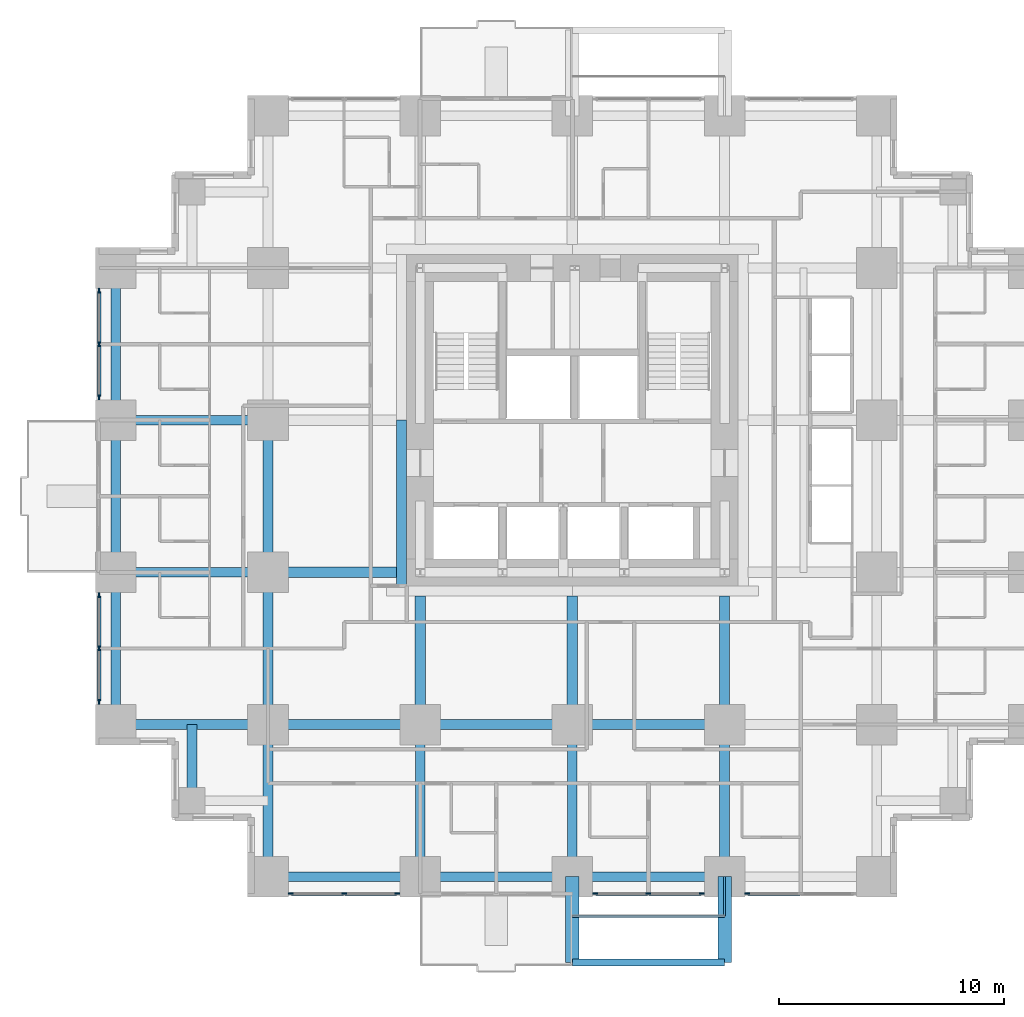
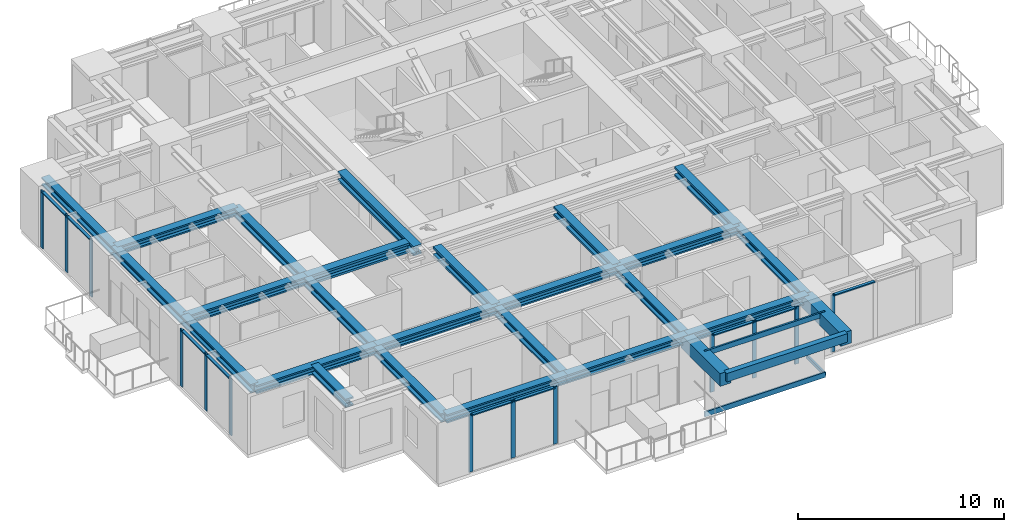
# One storey, part 2 of 13: 27 beams, 25 members, 5 elements without a shape of their own.
"""IFC4 building model written with IfcOpenShell, lengths in metres."""

import ifcopenshell
import ifcopenshell.guid

model = None  # the IFC model being written
_history = None  # IfcOwnerHistory: only IFC2X3 demands one
_inside = {}  # id of a spatial element -> (the spatial element, [elements in it])
_under = {}  # id of a project, library or spatial element -> (it, [spatial elements below it])
_declared = {}  # id of a project -> (the project, [libraries it declares])
_typed = {}  # id of a type object -> (the type object, [elements of that type])
_made_of = {}  # id of a material, layer set ... -> (it, [elements and type objects made of it])


def new_model(schema):
    """Start an empty IFC model of exactly this schema.

    Asked for "IFC4X3", IfcOpenShell would pick the latest addendum, in which some entities
    have other attributes; the version numbers below select the first issue.
    IFC2X3 requires an IfcOwnerHistory on every rooted entity: one is made here for all.
    """
    global model, _history
    if schema == "IFC4X3":
        model = ifcopenshell.file(schema_version=(4, 3, 0, 0))
    else:
        model = ifcopenshell.file(schema=schema)
    _inside.clear()
    _under.clear()
    _declared.clear()
    _typed.clear()
    _made_of.clear()
    _history = None
    if model.schema == "IFC2X3":
        org = make("IfcOrganization", Name="unknown")
        user = make(
            "IfcPersonAndOrganization",
            ThePerson=make("IfcPerson", FamilyName="unknown"),
            TheOrganization=org,
        )
        app = make(
            "IfcApplication",
            ApplicationDeveloper=org,
            Version="unknown",
            ApplicationFullName="unknown",
            ApplicationIdentifier="unknown",
        )
        _history = make(
            "IfcOwnerHistory",
            OwningUser=user,
            OwningApplication=app,
            ChangeAction="ADDED",
            CreationDate=0,
        )
    return model


def make(cls, **values):
    """One entity of the class cls with the attributes given. An attribute that is None is left unset."""
    return model.create_entity(
        cls, **{name: value for name, value in values.items() if value is not None}
    )


def rooted(cls, **values):
    """An entity with a GlobalId (a new one), such as an element, a storey or a relation."""
    return make(cls, GlobalId=ifcopenshell.guid.new(), OwnerHistory=_history, **values)


def si_unit(unit_type, name, prefix=None):
    """IfcSIUnit, for example si_unit("LENGTHUNIT", "METRE", prefix="MILLI")."""
    return make("IfcSIUnit", UnitType=unit_type, Prefix=prefix, Name=name)


def assignment(units):
    """IfcUnitAssignment: the units of a project."""
    return None if units is None else make("IfcUnitAssignment", Units=units)


def point(xyz):
    """IfcCartesianPoint."""
    return None if xyz is None else make("IfcCartesianPoint", Coordinates=xyz)


def direction(xyz):
    """IfcDirection."""
    return None if xyz is None else make("IfcDirection", DirectionRatios=xyz)


def frame(location, z_axis=None, x_axis=None):
    """IfcAxis2Placement3D, a coordinate frame: its origin and axes. An axis left out is left unset."""
    return make(
        "IfcAxis2Placement3D",
        Location=point(location),
        Axis=direction(z_axis),
        RefDirection=direction(x_axis),
    )


def frame_2d(location, x_axis=None):
    """IfcAxis2Placement2D, a coordinate frame in the plane: its origin and x axis."""
    return make(
        "IfcAxis2Placement2D", Location=point(location), RefDirection=direction(x_axis)
    )


def origin():
    """The frame at (0, 0, 0) with its axes left unset."""
    return frame((0.0, 0.0, 0.0))


def origin_2d():
    """The frame at (0, 0) in the plane with its x axis left unset."""
    return frame_2d((0.0, 0.0))


def place(relative_to, where):
    """IfcLocalPlacement: puts the frame where relative to a parent placement (None: the world)."""
    return make(
        "IfcLocalPlacement", PlacementRelTo=relative_to, RelativePlacement=where
    )


def context(
    kind, dimensions, precision=None, world=None, true_north=None, identifier=None
):
    """IfcGeometricRepresentationContext, for example the 3D "Model" context."""
    return make(
        "IfcGeometricRepresentationContext",
        ContextIdentifier=identifier,
        ContextType=kind,
        CoordinateSpaceDimension=dimensions,
        Precision=precision,
        WorldCoordinateSystem=world,
        TrueNorth=true_north,
    )


def subcontext(parent, identifier, kind, view, scale=None):
    """IfcGeometricRepresentationSubContext, for example "Body" below "Model"."""
    return make(
        "IfcGeometricRepresentationSubContext",
        ContextIdentifier=identifier,
        ContextType=kind,
        ParentContext=parent,
        TargetScale=scale,
        TargetView=view,
    )


def project(units=None, contexts=None):
    """IfcProject with its units and contexts."""
    return rooted(
        "IfcProject",
        Name="project",
        RepresentationContexts=contexts,
        UnitsInContext=assignment(units),
    )


def spatial(cls, under=None, at=None, **own):
    """A site, building, storey or space (cls), placed at a placement, below another one or the project."""
    s = rooted(cls, ObjectPlacement=at, **own)
    if under is not None:
        _under.setdefault(under.id(), (under, []))[1].append(s)
    return s


def profile(cls, at=None, kind="AREA", **sizes):
    """A parametric profile (cls). Its sizes go by their IFC names, for example OverallWidth=200.0."""
    return make(cls, ProfileType=kind, Position=at, **sizes)


def rectangle(**sizes):
    """IfcRectangleProfileDef."""
    return profile("IfcRectangleProfileDef", **sizes)


def hollow_rectangle(**sizes):
    """IfcRectangleHollowProfileDef."""
    return profile("IfcRectangleHollowProfileDef", **sizes)


def i_section(**sizes):
    """IfcIShapeProfileDef."""
    return profile("IfcIShapeProfileDef", **sizes)


def extrude(swept, where, along, depth):
    """IfcExtrudedAreaSolid: the profile swept, set in the frame where, extruded along a direction by depth."""
    return make(
        "IfcExtrudedAreaSolid",
        SweptArea=swept,
        Position=where,
        ExtrudedDirection=direction(along),
        Depth=depth,
    )


def shape(context_of_items, identifier, shape_type, items):
    """IfcShapeRepresentation: the items that make up one representation, for example the "Body"."""
    return make(
        "IfcShapeRepresentation",
        ContextOfItems=context_of_items,
        RepresentationIdentifier=identifier,
        RepresentationType=shape_type,
        Items=items,
    )


def material(Name=None, Category=None):
    """IfcMaterial."""
    return make("IfcMaterial", Name=Name, Category=Category)


def material_profile(
    of_material, cross_section, Name=None, Category=None, Priority=None
):
    """IfcMaterialProfile: a cross section and its material."""
    return make(
        "IfcMaterialProfile",
        Name=Name,
        Material=of_material,
        Profile=cross_section,
        Priority=Priority,
        Category=Category,
    )


def profile_set(profiles, Name=None, composite=None):
    """IfcMaterialProfileSet."""
    return make(
        "IfcMaterialProfileSet",
        Name=Name,
        MaterialProfiles=profiles,
        CompositeProfile=composite,
    )


def made_of(thing, what):
    """Note that an element or type object is made of a material, layer set ...; save() writes the relation."""
    if what is not None:
        _made_of.setdefault(what.id(), (what, []))[1].append(thing)
    return thing


def type_object(cls, material=None, **own):
    """A type object (cls), such as IfcWallType, which elements share."""
    return made_of(rooted(cls, **own), material)


def element(
    cls,
    number,
    at=None,
    inside=None,
    cuts=None,
    type_object=None,
    material=None,
    context=None,
    identifier="Body",
    shape_type=None,
    held_by="IfcProductDefinitionShape",
    body=None,
    shapes=None,
    **own,
):
    """One element of the class cls, such as IfcWall. Its Tag is "e" and its number.

    at: its placement. inside: the storey or other place that contains it. cuts: it is an
    opening in that element (IfcRelVoidsElement). A single representation is given by context,
    identifier, shape_type and body (its items); several are given by shapes. held_by: the class
    of the entity that holds the representations. save() writes the other relations.
    """
    e = rooted(cls, Tag="e%d" % number, ObjectPlacement=at, **own)
    if body is not None:
        shapes = [shape(context, identifier, shape_type, body)]
    if shapes is not None:
        e.Representation = make(held_by, Representations=shapes)
    if inside is not None:
        _inside.setdefault(inside.id(), (inside, []))[1].append(e)
    if cuts is not None:
        rooted(
            "IfcRelVoidsElement", RelatingBuildingElement=cuts, RelatedOpeningElement=e
        )
    if type_object is not None:
        _typed.setdefault(type_object.id(), (type_object, []))[1].append(e)
    return made_of(e, material)


def aggregate(whole, parts):
    """IfcRelAggregates: a whole, such as a stair, and the parts it consists of."""
    return rooted("IfcRelAggregates", RelatingObject=whole, RelatedObjects=parts)


def save(model, path):
    """Write the relations noted so far, then the file.

    IfcRelAggregates (storeys below a building ...), IfcRelContainedInSpatialStructure (elements
    in a storey), IfcRelDefinesByType, IfcRelAssociatesMaterial and IfcRelDeclares: one each for
    every whole, place, type object, material and project.
    """
    for whole, parts in _under.values():
        aggregate(whole, parts)
    for where, things in _inside.values():
        rooted(
            "IfcRelContainedInSpatialStructure",
            RelatedElements=things,
            RelatingStructure=where,
        )
    for kind, things in _typed.values():
        rooted("IfcRelDefinesByType", RelatedObjects=things, RelatingType=kind)
    for what, things in _made_of.values():
        rooted("IfcRelAssociatesMaterial", RelatedObjects=things, RelatingMaterial=what)
    for by, libraries in _declared.values():
        rooted("IfcRelDeclares", RelatingContext=by, RelatedDefinitions=libraries)
    model.write(path)


model = new_model("IFC4")

# Units and contexts
model_context = context("Model", 3, precision=1e-05, world=origin(), true_north=direction((0.0, 1.0)))
body_context = subcontext(model_context, "Body", "Model", "MODEL_VIEW")
ifc_project = project(units=[si_unit("LENGTHUNIT", "METRE"), si_unit("AREAUNIT", "SQUARE_METRE"), si_unit("VOLUMEUNIT", "CUBIC_METRE"), si_unit("PLANEANGLEUNIT", "RADIAN"), si_unit("MASSUNIT", "GRAM", prefix="KILO")], contexts=[model_context])

# Site, building, storey
site_placement = place(None, origin())
site = spatial("IfcSite", under=ifc_project, at=site_placement, CompositionType="ELEMENT")
building_placement = place(site_placement, origin())
building = spatial("IfcBuilding", under=site, at=building_placement, Name="Nyansa Garden Tower", CompositionType="ELEMENT")
storey_placement = place(building_placement, frame((0.0, 0.0, 94.5)))
storey = spatial("IfcBuildingStorey", under=building, at=storey_placement, Name="L25", CompositionType="ELEMENT", Elevation=94.5)

# Beams
ifc_material_1 = material(Name="Concrete C70/85", Category="concrete")
ifc_material_profile_1 = material_profile(ifc_material_1, rectangle(XDim=0.60009765625, YDim=0.75, at=origin_2d()), Name="RC 600x750")
ifc_profile_set_1 = profile_set([ifc_material_profile_1], Name="Concrete C70/85")
beam_type_1 = type_object("IfcBeamType", Name="Balcony cantilever beam CB1 RC 600x750", PredefinedType="BEAM", material=ifc_profile_set_1)
for number, where, z_axis, x_axis, name in (
    (1, (20.25, 0.0, 2.985107421875), (0.0, -1.0, 0.0), (1.0, 0.0, 0.0), "Balcony cantilever beam L26"),
    (2, (27.0, 0.0, 2.985107421875), (0.0, -1.0, 0.0), (1.0, 0.0, 0.0), "Balcony cantilever beam L26"),
):
    element("IfcBeam", number, at=place(storey_placement, frame(where, z_axis=z_axis, x_axis=x_axis)), inside=storey, type_object=beam_type_1, Name=name, PredefinedType="BEAM", context=body_context, shape_type="SweptSolid", body=[
        extrude(rectangle(XDim=0.60009765625, YDim=0.75, at=origin_2d()), origin(), (0.0, 0.0, 1.0), 3.800048828125),
    ])
ifc_material_2 = material(Name="Concrete C70/85", Category="concrete")
ifc_material_profile_2 = material_profile(ifc_material_2, rectangle(XDim=0.300048828125, YDim=0.5, at=origin_2d()), Name="RC 300x500")
ifc_profile_set_2 = profile_set([ifc_material_profile_2], Name="Concrete C70/85")
beam_type_2 = type_object("IfcBeamType", Name="Balcony edge beam BE1 RC 300x500", PredefinedType="BEAM", material=ifc_profile_set_2)
beam_1_placement = place(storey_placement, frame((20.25, -3.800048828125, 3.110107421875), z_axis=(1.0, 0.0, 0.0), x_axis=(0.0, 1.0, 0.0)))
element("IfcBeam", 3, at=beam_1_placement, inside=storey, type_object=beam_type_2, Name="Balcony edge beam L26", PredefinedType="BEAM", context=body_context, shape_type="SweptSolid", body=[
    extrude(rectangle(XDim=0.300048828125, YDim=0.5, at=origin_2d()), origin(), (0.0, 0.0, 1.0), 6.75),
])

# Curtain wall, members
ifc_material_3 = material(Name="Black anodised aluminium, dark tinted double glazing", Category="aluminium")
curtain_wall_type = type_object("IfcCurtainWallType", Name="Inner skin curtain wall ISW-B", PredefinedType="USERDEFINED", material=ifc_material_3)
curtain_wall_1_placement = place(storey_placement, origin())
curtain_wall_1 = element("IfcCurtainWall", 4, at=curtain_wall_1_placement, inside=storey, type_object=curtain_wall_type, Name="Inner skin curtain wall L25 W", ObjectType="UNITISED CURTAIN WALL", PredefinedType="USERDEFINED")
ifc_material_4 = material(Name="Black anodised aluminium", Category="aluminium")
ifc_material_profile_3 = material_profile(ifc_material_4, rectangle(XDim=0.06494140625, YDim=0.22509765625, at=origin_2d()), Name="Mullion 225x65")
ifc_profile_set_3 = profile_set([ifc_material_profile_3], Name="Black anodised aluminium")
member_type_1 = type_object("IfcMemberType", Name="Mullion ISW-B 225x65", PredefinedType="MULLION", material=ifc_profile_set_3)
member_1_placement = place(storey_placement, frame((-0.75, 12.487548828125, 0.0), z_axis=(0.0, 0.0, 1.0), x_axis=(1.0, 0.0, 0.0)))
member_1 = element("IfcMember", 5, at=member_1_placement, type_object=member_type_1, Name="ISW-B mullion 1", PredefinedType="MULLION", context=body_context, shape_type="SweptSolid", body=[
    extrude(rectangle(XDim=0.06494140625, YDim=0.22509765625, at=origin_2d()), origin(), (0.0, 0.0, 1.0), 3.375),
])
member_2_placement = place(storey_placement, frame((-0.75, 10.125, 0.0), z_axis=(0.0, 0.0, 1.0), x_axis=(1.0, 0.0, 0.0)))
member_2 = element("IfcMember", 6, at=member_2_placement, type_object=member_type_1, Name="ISW-B mullion 2", PredefinedType="MULLION", context=body_context, shape_type="SweptSolid", body=[
    extrude(rectangle(XDim=0.06494140625, YDim=0.22509765625, at=origin_2d()), origin(), (0.0, 0.0, 1.0), 3.375),
])
member_3_placement = place(storey_placement, frame((-0.75, 7.762451171875, 0.0), z_axis=(0.0, 0.0, 1.0), x_axis=(1.0, 0.0, 0.0)))
member_3 = element("IfcMember", 7, at=member_3_placement, type_object=member_type_1, Name="ISW-B mullion 3", PredefinedType="MULLION", context=body_context, shape_type="SweptSolid", body=[
    extrude(rectangle(XDim=0.06494140625, YDim=0.22509765625, at=origin_2d()), origin(), (0.0, 0.0, 1.0), 3.375),
])

curtain_wall_2_placement = place(storey_placement, origin())
curtain_wall_2 = element("IfcCurtainWall", 8, at=curtain_wall_2_placement, inside=storey, type_object=curtain_wall_type, Name="Inner skin curtain wall L25 W", ObjectType="UNITISED CURTAIN WALL", PredefinedType="USERDEFINED")
member_4_placement = place(storey_placement, frame((-0.75, 25.987548828125, 0.0), z_axis=(0.0, 0.0, 1.0), x_axis=(1.0, 0.0, 0.0)))
member_4 = element("IfcMember", 9, at=member_4_placement, type_object=member_type_1, Name="ISW-B mullion 1", PredefinedType="MULLION", context=body_context, shape_type="SweptSolid", body=[
    extrude(rectangle(XDim=0.06494140625, YDim=0.22509765625, at=origin_2d()), origin(), (0.0, 0.0, 1.0), 3.375),
])
member_5_placement = place(storey_placement, frame((-0.75, 23.625, 0.0), z_axis=(0.0, 0.0, 1.0), x_axis=(1.0, 0.0, 0.0)))
member_5 = element("IfcMember", 10, at=member_5_placement, type_object=member_type_1, Name="ISW-B mullion 2", PredefinedType="MULLION", context=body_context, shape_type="SweptSolid", body=[
    extrude(rectangle(XDim=0.06494140625, YDim=0.22509765625, at=origin_2d()), origin(), (0.0, 0.0, 1.0), 3.375),
])
member_6_placement = place(storey_placement, frame((-0.75, 21.262451171875, 0.0), z_axis=(0.0, 0.0, 1.0), x_axis=(1.0, 0.0, 0.0)))
member_6 = element("IfcMember", 11, at=member_6_placement, type_object=member_type_1, Name="ISW-B mullion 3", PredefinedType="MULLION", context=body_context, shape_type="SweptSolid", body=[
    extrude(rectangle(XDim=0.06494140625, YDim=0.22509765625, at=origin_2d()), origin(), (0.0, 0.0, 1.0), 3.375),
])

curtain_wall_3_placement = place(storey_placement, origin())
curtain_wall_3 = element("IfcCurtainWall", 12, at=curtain_wall_3_placement, inside=storey, type_object=curtain_wall_type, Name="Inner skin curtain wall L25 S", ObjectType="UNITISED CURTAIN WALL", PredefinedType="USERDEFINED")
member_7_placement = place(storey_placement, frame((7.762451171875, -0.75, 0.0), z_axis=(0.0, 0.0, 1.0), x_axis=(0.0, 1.0, 0.0)))
member_7 = element("IfcMember", 13, at=member_7_placement, type_object=member_type_1, Name="ISW-B mullion 1", PredefinedType="MULLION", context=body_context, shape_type="SweptSolid", body=[
    extrude(rectangle(XDim=0.06494140625, YDim=0.22509765625, at=origin_2d()), origin(), (0.0, 0.0, 1.0), 3.375),
])
member_8_placement = place(storey_placement, frame((10.125, -0.75, 0.0), z_axis=(0.0, 0.0, 1.0), x_axis=(0.0, 1.0, 0.0)))
member_8 = element("IfcMember", 14, at=member_8_placement, type_object=member_type_1, Name="ISW-B mullion 2", PredefinedType="MULLION", context=body_context, shape_type="SweptSolid", body=[
    extrude(rectangle(XDim=0.06494140625, YDim=0.22509765625, at=origin_2d()), origin(), (0.0, 0.0, 1.0), 3.375),
])
member_9_placement = place(storey_placement, frame((12.487548828125, -0.75, 0.0), z_axis=(0.0, 0.0, 1.0), x_axis=(0.0, 1.0, 0.0)))
member_9 = element("IfcMember", 15, at=member_9_placement, type_object=member_type_1, Name="ISW-B mullion 3", PredefinedType="MULLION", context=body_context, shape_type="SweptSolid", body=[
    extrude(rectangle(XDim=0.06494140625, YDim=0.22509765625, at=origin_2d()), origin(), (0.0, 0.0, 1.0), 3.375),
])

curtain_wall_4_placement = place(storey_placement, origin())
curtain_wall_4 = element("IfcCurtainWall", 16, at=curtain_wall_4_placement, inside=storey, type_object=curtain_wall_type, Name="Inner skin curtain wall L25 S", ObjectType="UNITISED CURTAIN WALL", PredefinedType="USERDEFINED")
member_10_placement = place(storey_placement, frame((21.262451171875, -0.75, 0.0), z_axis=(0.0, 0.0, 1.0), x_axis=(0.0, 1.0, 0.0)))
member_10 = element("IfcMember", 17, at=member_10_placement, type_object=member_type_1, Name="ISW-B mullion 1", PredefinedType="MULLION", context=body_context, shape_type="SweptSolid", body=[
    extrude(rectangle(XDim=0.06494140625, YDim=0.22509765625, at=origin_2d()), origin(), (0.0, 0.0, 1.0), 3.375),
])
member_11_placement = place(storey_placement, frame((23.625, -0.75, 0.0), z_axis=(0.0, 0.0, 1.0), x_axis=(0.0, 1.0, 0.0)))
member_11 = element("IfcMember", 18, at=member_11_placement, type_object=member_type_1, Name="ISW-B mullion 2", PredefinedType="MULLION", context=body_context, shape_type="SweptSolid", body=[
    extrude(rectangle(XDim=0.06494140625, YDim=0.22509765625, at=origin_2d()), origin(), (0.0, 0.0, 1.0), 3.375),
])
member_12_placement = place(storey_placement, frame((25.987548828125, -0.75, 0.0), z_axis=(0.0, 0.0, 1.0), x_axis=(0.0, 1.0, 0.0)))
member_12 = element("IfcMember", 19, at=member_12_placement, type_object=member_type_1, Name="ISW-B mullion 3", PredefinedType="MULLION", context=body_context, shape_type="SweptSolid", body=[
    extrude(rectangle(XDim=0.06494140625, YDim=0.22509765625, at=origin_2d()), origin(), (0.0, 0.0, 1.0), 3.375),
])

# Curtain wall, member
curtain_wall_5_placement = place(storey_placement, origin())
curtain_wall_5 = element("IfcCurtainWall", 20, at=curtain_wall_5_placement, inside=storey, type_object=curtain_wall_type, Name="Inner skin curtain wall L25 S", ObjectType="UNITISED CURTAIN WALL", PredefinedType="USERDEFINED")
member_13_placement = place(storey_placement, frame((28.012451171875, -0.75, 0.0), z_axis=(0.0, 0.0, 1.0), x_axis=(0.0, 1.0, 0.0)))
member_13 = element("IfcMember", 21, at=member_13_placement, type_object=member_type_1, Name="ISW-B mullion 1", PredefinedType="MULLION", context=body_context, shape_type="SweptSolid", body=[
    extrude(rectangle(XDim=0.06494140625, YDim=0.22509765625, at=origin_2d()), origin(), (0.0, 0.0, 1.0), 3.375),
])

# Members
ifc_material_5 = material(Name="Steel S355, black powder coated", Category="steel")
ifc_material_profile_4 = material_profile(ifc_material_5, hollow_rectangle(XDim=0.10009765625, YDim=0.199951171875, WallThickness=0.008056640625, at=origin_2d()), Name="RHS 200x100x8")
ifc_profile_set_4 = profile_set([ifc_material_profile_4], Name="Steel S355, black powder coated")
member_type_2 = type_object("IfcMemberType", Name="Outer skin bracket arm RHS 200x100x8", PredefinedType="USERDEFINED", material=ifc_profile_set_4)
member_14_placement = place(storey_placement, frame((27.0, 0.0, -0.375), z_axis=(0.0, -1.0, 0.0), x_axis=(1.0, 0.0, 0.0)))
element("IfcMember", 22, at=member_14_placement, inside=storey, type_object=member_type_2, Name="Outer skin bracket arm", ObjectType="OUTER SKIN BRACKET", PredefinedType="USERDEFINED", context=body_context, shape_type="SweptSolid", body=[
    extrude(hollow_rectangle(XDim=0.10009765625, YDim=0.199951171875, WallThickness=0.008056640625, at=origin_2d()), origin(), (0.0, 0.0, 1.0), 1.75),
])
ifc_material_6 = material(Name="Steel S355, black powder coated", Category="steel")
ifc_material_profile_5 = material_profile(ifc_material_6, hollow_rectangle(XDim=0.10009765625, YDim=0.300048828125, WallThickness=0.010009765625, at=origin_2d()), Name="RHS 300x100x10")
ifc_profile_set_5 = profile_set([ifc_material_profile_5], Name="Steel S355, black powder coated")
member_type_3 = type_object("IfcMemberType", Name="Outer skin rail RHS 300x100x10", PredefinedType="USERDEFINED", material=ifc_profile_set_5)
for number, where, z_axis, x_axis, name in (
    (23, (20.25, -1.75, -0.375), (1.0, 0.0, 0.0), (0.0, 1.0, 0.0), "Outer skin rail L25"),
    (24, (20.25, -1.75, 3.22509765625), (1.0, 0.0, 0.0), (0.0, 1.0, 0.0), "Outer skin rail L25 head"),
):
    element("IfcMember", number, at=place(storey_placement, frame(where, z_axis=z_axis, x_axis=x_axis)), inside=storey, type_object=member_type_3, Name=name, ObjectType="OUTER SKIN RAIL", PredefinedType="USERDEFINED", context=body_context, shape_type="SweptSolid", body=[
        extrude(hollow_rectangle(XDim=0.10009765625, YDim=0.300048828125, WallThickness=0.010009765625, at=origin_2d()), origin(), (0.0, 0.0, 1.0), 6.75),
    ])

# Beams
ifc_material_7 = material(Name="Steel S355", Category="steel")
ifc_material_profile_6 = material_profile(ifc_material_7, i_section(OverallWidth=0.431884765625, OverallDepth=0.498046875, WebThickness=0.0556640625, FlangeThickness=0.0888671875, FilletRadius=0.014892578125, at=origin_2d()), Name="HD 400x744")
ifc_profile_set_6 = profile_set([ifc_material_profile_6], Name="Steel S355")
beam_type_3 = type_object("IfcBeamType", Name="Steel beam SBB1-744 HD 400x744", PredefinedType="BEAM", material=ifc_profile_set_6)
for number, where, z_axis, x_axis, name in (
    (25, (0.0, 6.75, 3.1259765625), (1.0, 0.0, 0.0), (0.0, 1.0, 0.0), "Steel beam 2/E-3/E L26"),
    (26, (0.0, 13.5, 3.1259765625), (1.0, 0.0, 0.0), (0.0, 1.0, 0.0), "Steel beam 2/F-3/F L26"),
    (27, (0.0, 20.25, 3.1259765625), (1.0, 0.0, 0.0), (0.0, 1.0, 0.0), "Steel beam 2/G-3/G L26"),
    (28, (6.75, 0.0, 3.1259765625), (0.0, 1.0, 0.0), (-1.0, 0.0, 0.0), "Steel beam 3/D-3/E L26"),
    (29, (6.75, 6.75, 3.1259765625), (0.0, 1.0, 0.0), (-1.0, 0.0, 0.0), "Steel beam 3/E-3/F L26"),
    (30, (6.75, 6.75, 3.1259765625), (1.0, 0.0, 0.0), (0.0, 1.0, 0.0), "Steel beam 3/E-4/E L26"),
    (31, (6.75, 13.5, 3.1259765625), (0.0, 1.0, 0.0), (-1.0, 0.0, 0.0), "Steel beam 3/F-3/G L26"),
    (32, (13.5, 0.0, 3.1259765625), (0.0, 1.0, 0.0), (-1.0, 0.0, 0.0), "Steel beam 4/D-4/E L26"),
    (33, (13.5, 6.75, 3.1259765625), (1.0, 0.0, 0.0), (0.0, 1.0, 0.0), "Steel beam 4/E-5/E L26"),
    (34, (20.25, 0.0, 3.1259765625), (0.0, 1.0, 0.0), (-1.0, 0.0, 0.0), "Steel beam 5/D-5/E L26"),
    (35, (20.25, 6.75, 3.1259765625), (1.0, 0.0, 0.0), (0.0, 1.0, 0.0), "Steel beam 5/E-6/E L26"),
    (36, (27.0, 0.0, 3.1259765625), (0.0, 1.0, 0.0), (-1.0, 0.0, 0.0), "Steel beam 6/D-6/E L26"),
):
    element("IfcBeam", number, at=place(storey_placement, frame(where, z_axis=z_axis, x_axis=x_axis)), inside=storey, type_object=beam_type_3, Name=name, PredefinedType="BEAM", context=body_context, shape_type="SweptSolid", body=[
        extrude(i_section(OverallWidth=0.431884765625, OverallDepth=0.498046875, WebThickness=0.0556640625, FlangeThickness=0.0888671875, FilletRadius=0.014892578125, at=origin_2d()), origin(), (0.0, 0.0, 1.0), 6.75),
    ])
ifc_material_8 = material(Name="Steel S355", Category="steel")
ifc_material_profile_7 = material_profile(ifc_material_8, i_section(OverallWidth=0.4541015625, OverallDepth=0.569091796875, WebThickness=0.077880859375, FlangeThickness=0.125, FilletRadius=0.014892578125, at=origin_2d()), Name="HD 400x1086")
ifc_profile_set_7 = profile_set([ifc_material_profile_7], Name="Steel S355")
beam_type_4 = type_object("IfcBeamType", Name="Steel beam SCL-1086 HD 400x1086", PredefinedType="BEAM", material=ifc_profile_set_7)
for number, where, z_axis, x_axis, name in (
    (37, (6.75, 13.5, 3.090576171875), (1.0, 0.0, 0.0), (0.0, 1.0, 0.0), "Steel beam 3/F-12.450/F L26"),
    (38, (13.5, 6.75, 3.090576171875), (0.0, 1.0, 0.0), (-1.0, 0.0, 0.0), "Steel beam 4/E-4/12.450 L26"),
    (39, (20.25, 6.75, 3.090576171875), (0.0, 1.0, 0.0), (-1.0, 0.0, 0.0), "Steel beam 5/E-5/12.450 L26"),
    (40, (27.0, 6.75, 3.090576171875), (0.0, 1.0, 0.0), (-1.0, 0.0, 0.0), "Steel beam 6/E-6/12.450 L26"),
):
    element("IfcBeam", number, at=place(storey_placement, frame(where, z_axis=z_axis, x_axis=x_axis)), inside=storey, type_object=beam_type_4, Name=name, PredefinedType="BEAM", context=body_context, shape_type="SweptSolid", body=[
        extrude(i_section(OverallWidth=0.4541015625, OverallDepth=0.569091796875, WebThickness=0.077880859375, FlangeThickness=0.125, FilletRadius=0.014892578125, at=origin_2d()), origin(), (0.0, 0.0, 1.0), 5.699951171875),
    ])
beam_2_placement = place(storey_placement, frame((12.673095703125, 20.25, 3.090576171875), z_axis=(0.0, -1.0, 0.0), x_axis=(1.0, 0.0, 0.0)))
element("IfcBeam", 41, at=beam_2_placement, inside=storey, type_object=beam_type_4, Name="Steel core ledger beam W.2 L26", PredefinedType="BEAM", context=body_context, shape_type="SweptSolid", body=[
    extrude(i_section(OverallWidth=0.4541015625, OverallDepth=0.569091796875, WebThickness=0.077880859375, FlangeThickness=0.125, FilletRadius=0.014892578125, at=origin_2d()), origin(), (0.0, 0.0, 1.0), 7.35009765625),
])
ifc_material_9 = material(Name="Steel S355", Category="steel")
ifc_material_profile_8 = material_profile(ifc_material_9, i_section(OverallWidth=0.431884765625, OverallDepth=0.498046875, WebThickness=0.0556640625, FlangeThickness=0.0888671875, FilletRadius=0.014892578125, at=origin_2d()), Name="HD 400x744")
ifc_profile_set_8 = profile_set([ifc_material_profile_8], Name="Steel S355")
beam_type_5 = type_object("IfcBeamType", Name="Steel beam SEBB-744 HD 400x744", PredefinedType="BEAM", material=ifc_profile_set_8)
for number, where, z_axis, x_axis, name in (
    (42, (0.0, 6.75, 3.1259765625), (0.0, 1.0, 0.0), (-1.0, 0.0, 0.0), "Steel edge beam 2/E-2/F L26"),
    (43, (0.0, 13.5, 3.1259765625), (0.0, 1.0, 0.0), (-1.0, 0.0, 0.0), "Steel edge beam 2/F-2/G L26"),
    (44, (0.0, 20.25, 3.1259765625), (0.0, 1.0, 0.0), (-1.0, 0.0, 0.0), "Steel edge beam 2/G-2/H L26"),
    (45, (6.75, 0.0, 3.1259765625), (1.0, 0.0, 0.0), (0.0, 1.0, 0.0), "Steel edge beam 3/D-4/D L26"),
    (46, (13.5, 0.0, 3.1259765625), (1.0, 0.0, 0.0), (0.0, 1.0, 0.0), "Steel edge beam 4/D-5/D L26"),
    (47, (20.25, 0.0, 3.1259765625), (1.0, 0.0, 0.0), (0.0, 1.0, 0.0), "Steel edge beam 5/D-6/D L26"),
):
    element("IfcBeam", number, at=place(storey_placement, frame(where, z_axis=z_axis, x_axis=x_axis)), inside=storey, type_object=beam_type_5, Name=name, PredefinedType="BEAM", context=body_context, shape_type="SweptSolid", body=[
        extrude(i_section(OverallWidth=0.431884765625, OverallDepth=0.498046875, WebThickness=0.0556640625, FlangeThickness=0.0888671875, FilletRadius=0.014892578125, at=origin_2d()), origin(), (0.0, 0.0, 1.0), 6.75),
    ])
ifc_material_10 = material(Name="Steel S355", Category="steel")
ifc_material_profile_9 = material_profile(ifc_material_10, i_section(OverallWidth=0.431884765625, OverallDepth=0.498046875, WebThickness=0.0556640625, FlangeThickness=0.0888671875, FilletRadius=0.014892578125, at=origin_2d()), Name="HD 400x744")
ifc_profile_set_9 = profile_set([ifc_material_profile_9], Name="Steel S355")
beam_type_6 = type_object("IfcBeamType", Name="Steel beam SSB1-744 HD 400x744", PredefinedType="BEAM", material=ifc_profile_set_9)
beam_3_placement = place(storey_placement, frame((3.375, 3.375, 3.1259765625), z_axis=(0.0, 1.0, 0.0), x_axis=(-1.0, 0.0, 0.0)))
element("IfcBeam", 48, at=beam_3_placement, inside=storey, type_object=beam_type_6, Name="Steel step beam 3.375/3.375 L26", PredefinedType="BEAM", context=body_context, shape_type="SweptSolid", body=[
    extrude(i_section(OverallWidth=0.431884765625, OverallDepth=0.498046875, WebThickness=0.0556640625, FlangeThickness=0.0888671875, FilletRadius=0.014892578125, at=origin_2d()), origin(), (0.0, 0.0, 1.0), 3.375),
])

# Member
ifc_material_11 = material(Name="Black anodised aluminium", Category="aluminium")
ifc_material_profile_10 = material_profile(ifc_material_11, rectangle(XDim=0.1650390625, YDim=0.06494140625, at=origin_2d()), Name="Transom 165x65")
ifc_profile_set_10 = profile_set([ifc_material_profile_10], Name="Black anodised aluminium")
member_type_4 = type_object("IfcMemberType", Name="Transom ISW-B 165x65", PredefinedType="USERDEFINED", material=ifc_profile_set_10)
member_15_placement = place(storey_placement, frame((-0.75, 12.455078125, 3.342529296875), z_axis=(0.0, -1.0, 0.0), x_axis=(1.0, 0.0, 0.0)))
member_15 = element("IfcMember", 49, at=member_15_placement, type_object=member_type_4, Name="ISW-B transom 1", ObjectType="TRANSOM", PredefinedType="USERDEFINED", context=body_context, shape_type="SweptSolid", body=[
    extrude(rectangle(XDim=0.1650390625, YDim=0.06494140625, at=origin_2d()), origin(), (0.0, 0.0, 1.0), 2.297607421875),
])

member_16_placement = place(storey_placement, frame((-0.75, 10.092529296875, 3.342529296875), z_axis=(0.0, -1.0, 0.0), x_axis=(1.0, 0.0, 0.0)))
member_16 = element("IfcMember", 50, at=member_16_placement, type_object=member_type_4, Name="ISW-B transom 2", ObjectType="TRANSOM", PredefinedType="USERDEFINED", context=body_context, shape_type="SweptSolid", body=[
    extrude(rectangle(XDim=0.1650390625, YDim=0.06494140625, at=origin_2d()), origin(), (0.0, 0.0, 1.0), 2.297607421875),
])

aggregate(curtain_wall_1, [member_1, member_2, member_3, member_15, member_16])

member_17_placement = place(storey_placement, frame((-0.75, 25.955078125, 3.342529296875), z_axis=(0.0, -1.0, 0.0), x_axis=(1.0, 0.0, 0.0)))
member_17 = element("IfcMember", 51, at=member_17_placement, type_object=member_type_4, Name="ISW-B transom 1", ObjectType="TRANSOM", PredefinedType="USERDEFINED", context=body_context, shape_type="SweptSolid", body=[
    extrude(rectangle(XDim=0.1650390625, YDim=0.06494140625, at=origin_2d()), origin(), (0.0, 0.0, 1.0), 2.297607421875),
])

member_18_placement = place(storey_placement, frame((-0.75, 23.592529296875, 3.342529296875), z_axis=(0.0, -1.0, 0.0), x_axis=(1.0, 0.0, 0.0)))
member_18 = element("IfcMember", 52, at=member_18_placement, type_object=member_type_4, Name="ISW-B transom 2", ObjectType="TRANSOM", PredefinedType="USERDEFINED", context=body_context, shape_type="SweptSolid", body=[
    extrude(rectangle(XDim=0.1650390625, YDim=0.06494140625, at=origin_2d()), origin(), (0.0, 0.0, 1.0), 2.297607421875),
])

aggregate(curtain_wall_2, [member_4, member_5, member_6, member_17, member_18])

member_19_placement = place(storey_placement, frame((7.794921875, -0.75, 3.342529296875), z_axis=(1.0, 0.0, 0.0), x_axis=(0.0, 1.0, 0.0)))
member_19 = element("IfcMember", 53, at=member_19_placement, type_object=member_type_4, Name="ISW-B transom 1", ObjectType="TRANSOM", PredefinedType="USERDEFINED", context=body_context, shape_type="SweptSolid", body=[
    extrude(rectangle(XDim=0.1650390625, YDim=0.06494140625, at=origin_2d()), origin(), (0.0, 0.0, 1.0), 2.297607421875),
])

member_20_placement = place(storey_placement, frame((10.157470703125, -0.75, 3.342529296875), z_axis=(1.0, 0.0, 0.0), x_axis=(0.0, 1.0, 0.0)))
member_20 = element("IfcMember", 54, at=member_20_placement, type_object=member_type_4, Name="ISW-B transom 2", ObjectType="TRANSOM", PredefinedType="USERDEFINED", context=body_context, shape_type="SweptSolid", body=[
    extrude(rectangle(XDim=0.1650390625, YDim=0.06494140625, at=origin_2d()), origin(), (0.0, 0.0, 1.0), 2.297607421875),
])

aggregate(curtain_wall_3, [member_7, member_8, member_9, member_19, member_20])

member_21_placement = place(storey_placement, frame((21.294921875, -0.75, 3.342529296875), z_axis=(1.0, 0.0, 0.0), x_axis=(0.0, 1.0, 0.0)))
member_21 = element("IfcMember", 55, at=member_21_placement, type_object=member_type_4, Name="ISW-B transom 1", ObjectType="TRANSOM", PredefinedType="USERDEFINED", context=body_context, shape_type="SweptSolid", body=[
    extrude(rectangle(XDim=0.1650390625, YDim=0.06494140625, at=origin_2d()), origin(), (0.0, 0.0, 1.0), 2.297607421875),
])

member_22_placement = place(storey_placement, frame((23.657470703125, -0.75, 3.342529296875), z_axis=(1.0, 0.0, 0.0), x_axis=(0.0, 1.0, 0.0)))
member_22 = element("IfcMember", 56, at=member_22_placement, type_object=member_type_4, Name="ISW-B transom 2", ObjectType="TRANSOM", PredefinedType="USERDEFINED", context=body_context, shape_type="SweptSolid", body=[
    extrude(rectangle(XDim=0.1650390625, YDim=0.06494140625, at=origin_2d()), origin(), (0.0, 0.0, 1.0), 2.297607421875),
])

aggregate(curtain_wall_4, [member_10, member_11, member_12, member_21, member_22])

member_23_placement = place(storey_placement, frame((28.044921875, -0.75, 3.342529296875), z_axis=(1.0, 0.0, 0.0), x_axis=(0.0, 1.0, 0.0)))
member_23 = element("IfcMember", 57, at=member_23_placement, type_object=member_type_4, Name="ISW-B transom 1", ObjectType="TRANSOM", PredefinedType="USERDEFINED", context=body_context, shape_type="SweptSolid", body=[
    extrude(rectangle(XDim=0.1650390625, YDim=0.06494140625, at=origin_2d()), origin(), (0.0, 0.0, 1.0), 2.297607421875),
])

aggregate(curtain_wall_5, [member_13, member_23])

save(model, "model.ifc")
